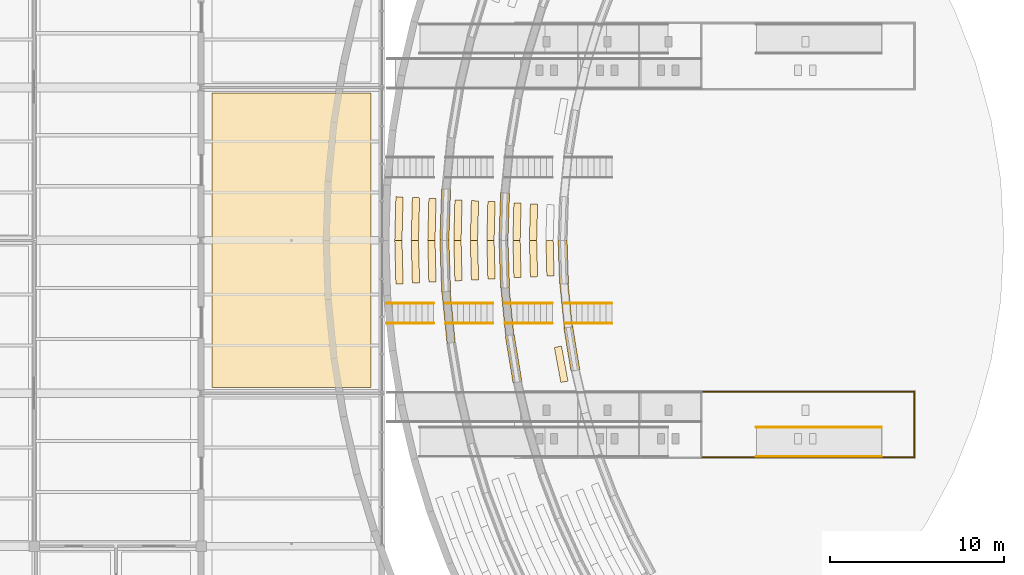
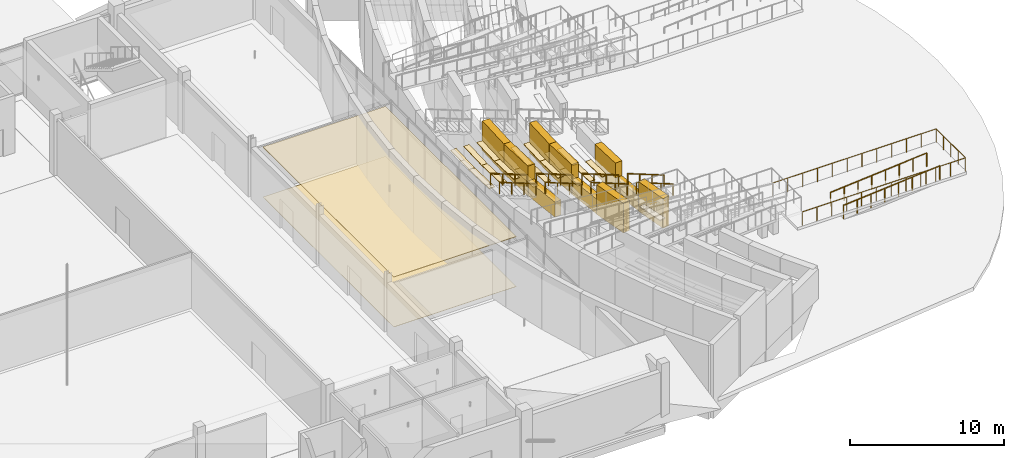
# One storey, part 112 of 116: 30 coverings, 11 railings, 2 elements without a shape of their own.
"""IFC4 building model written with IfcOpenShell, lengths in metres."""

from ifc_helpers import new_model, si_unit, direction, frame, origin, origin_2d, place, context, subcontext, project, spatial, polyline, circle, outline, extrude, material, layer, layer_set, type_object, element, aggregate, save


model = new_model("IFC4")

# Units and contexts
model_context = context("Model", 3, precision=1e-05, world=origin(), true_north=direction((0.0, 1.0)))
body_context = subcontext(model_context, "Body", "Model", "MODEL_VIEW")
ifc_project = project(units=[si_unit("LENGTHUNIT", "METRE"), si_unit("AREAUNIT", "SQUARE_METRE"), si_unit("VOLUMEUNIT", "CUBIC_METRE"), si_unit("PLANEANGLEUNIT", "RADIAN"), si_unit("MASSUNIT", "GRAM", prefix="KILO")], contexts=[model_context])

# Site, building, storey
site_placement = place(None, origin())
site = spatial("IfcSite", under=ifc_project, at=site_placement, CompositionType="ELEMENT")
building_placement = place(site_placement, origin())
building = spatial("IfcBuilding", under=site, at=building_placement, Name="Chalmorin Arch Market", CompositionType="ELEMENT")
storey_placement = place(building_placement, origin())
storey = spatial("IfcBuildingStorey", under=building, at=storey_placement, Name="L00", CompositionType="ELEMENT", Elevation=0.0)

# Covering
ifc_material_1 = material(Name="Mineral Fibre Acoustic Tile")
ifc_layer_1 = layer(ifc_material_1, 0.044921875)
ifc_layer_set_1 = layer_set([ifc_layer_1], Name="Mineral Fibre Acoustic Tile")
covering_type_1 = type_object("IfcCoveringType", Name="AcousticBaffleCeiling-45", PredefinedType="CEILING", material=ifc_layer_set_1)
covering_1_placement = place(storey_placement, frame((0.0, 0.0, 3.93505859375)))
element("IfcCovering", 1, at=covering_1_placement, inside=storey, type_object=covering_type_1, Name="CLG-01-087", PredefinedType="CEILING", context=body_context, shape_type="SweptSolid", body=[
    extrude(outline(polyline([(125.419921875, 23.919921875), (134.580078125, 23.919921875), (134.580078125, 40.8798828125), (125.419921875, 40.8798828125), (125.419921875, 23.919921875)])), origin(), (0.0, 0.0, 1.0), 0.044921875),
])

# Stair, railings
ifc_material_2 = material(Name="Concrete C40/50", Category="concrete")
stair_type = type_object("IfcStairType", Name="TerraceCascadeStair-Granite", PredefinedType="STRAIGHT_RUN_STAIR", material=ifc_material_2)
stair_placement = place(storey_placement, origin())
stair = element("IfcStair", 2, at=stair_placement, inside=storey, type_object=stair_type, Name="ST-30", PredefinedType="STRAIGHT_RUN_STAIR")
ifc_material_3 = material(Name="Stainless Steel 316", Category="steel")
ifc_layer_2 = layer(ifc_material_3, 0.048095703125)
ifc_layer_set_2 = layer_set([ifc_layer_2], Name="Stainless Steel 316")
railing_type_1 = type_object("IfcRailingType", Name="StairTubeHandrail-920", PredefinedType="HANDRAIL", material=ifc_layer_set_2)
railing_1_placement = place(storey_placement, frame((148.429931640625, 27.6201171875, 0.13330078125)))
railing_1 = element("IfcRailing", 3, at=railing_1_placement, type_object=railing_type_1, Name="HR-01-131", PredefinedType="HANDRAIL", context=body_context, shape_type="SweptSolid", body=[
    extrude(circle(Radius=0.02392578125, at=origin_2d()), frame((0.0, 0.0, 0.89599609375), z_axis=(-0.930973755386, 0.0, 0.365086108723), x_axis=(0.0, -1.0, 0.0)), (0.0, 0.0, 1.0), 2.921630859375),
    extrude(circle(Radius=0.02099609375, at=origin_2d()), origin(), (0.0, 0.0, 1.0), 0.871826171875),
    extrude(circle(Radius=0.02099609375, at=origin_2d()), frame((-0.90673828125, 0.0, 0.35546875)), (0.0, 0.0, 1.0), 0.871826171875),
    extrude(circle(Radius=0.02099609375, at=origin_2d()), frame((-1.813232421875, 0.0, 0.711181640625)), (0.0, 0.0, 1.0), 0.871826171875),
    extrude(circle(Radius=0.02099609375, at=origin_2d()), frame((-2.719970703125, 0.0, 1.066650390625)), (0.0, 0.0, 1.0), 0.871826171875),
])
railing_2_placement = place(storey_placement, frame((148.429931640625, 28.780029296875, 0.13330078125)))
railing_2 = element("IfcRailing", 4, at=railing_2_placement, type_object=railing_type_1, Name="HR-01-132", PredefinedType="HANDRAIL", context=body_context, shape_type="SweptSolid", body=[
    extrude(circle(Radius=0.02392578125, at=origin_2d()), frame((0.0, 0.0, 0.89599609375), z_axis=(-0.930973755386, 0.0, 0.365086108723), x_axis=(0.0, -1.0, 0.0)), (0.0, 0.0, 1.0), 2.921630859375),
    extrude(circle(Radius=0.02099609375, at=origin_2d()), origin(), (0.0, 0.0, 1.0), 0.871826171875),
    extrude(circle(Radius=0.02099609375, at=origin_2d()), frame((-0.90673828125, 0.0, 0.35546875)), (0.0, 0.0, 1.0), 0.871826171875),
    extrude(circle(Radius=0.02099609375, at=origin_2d()), frame((-1.813232421875, 0.0, 0.711181640625)), (0.0, 0.0, 1.0), 0.871826171875),
    extrude(circle(Radius=0.02099609375, at=origin_2d()), frame((-2.719970703125, 0.0, 1.066650390625)), (0.0, 0.0, 1.0), 0.871826171875),
])
railing_3_placement = place(storey_placement, frame((145.011962890625, 27.6201171875, 1.333251953125)))
railing_3 = element("IfcRailing", 5, at=railing_3_placement, type_object=railing_type_1, Name="HR-01-133", PredefinedType="HANDRAIL", context=body_context, shape_type="SweptSolid", body=[
    extrude(circle(Radius=0.02392578125, at=origin_2d()), frame((0.0, 0.0, 0.89599609375), z_axis=(-0.930973755386, 0.0, 0.365086108723), x_axis=(0.0, -1.0, 0.0)), (0.0, 0.0, 1.0), 2.921630859375),
    extrude(circle(Radius=0.02099609375, at=origin_2d()), origin(), (0.0, 0.0, 1.0), 0.871826171875),
    extrude(circle(Radius=0.02099609375, at=origin_2d()), frame((-0.90673828125, 0.0, 0.35546875)), (0.0, 0.0, 1.0), 0.871826171875),
    extrude(circle(Radius=0.02099609375, at=origin_2d()), frame((-1.813232421875, 0.0, 0.711181640625)), (0.0, 0.0, 1.0), 0.871826171875),
    extrude(circle(Radius=0.02099609375, at=origin_2d()), frame((-2.719970703125, 0.0, 1.066650390625)), (0.0, 0.0, 1.0), 0.871826171875),
])
railing_4_placement = place(storey_placement, frame((145.011962890625, 28.780029296875, 1.333251953125)))
railing_4 = element("IfcRailing", 6, at=railing_4_placement, type_object=railing_type_1, Name="HR-01-134", PredefinedType="HANDRAIL", context=body_context, shape_type="SweptSolid", body=[
    extrude(circle(Radius=0.02392578125, at=origin_2d()), frame((0.0, 0.0, 0.89599609375), z_axis=(-0.930973755386, 0.0, 0.365086108723), x_axis=(0.0, -1.0, 0.0)), (0.0, 0.0, 1.0), 2.921630859375),
    extrude(circle(Radius=0.02099609375, at=origin_2d()), origin(), (0.0, 0.0, 1.0), 0.871826171875),
    extrude(circle(Radius=0.02099609375, at=origin_2d()), frame((-0.90673828125, 0.0, 0.35546875)), (0.0, 0.0, 1.0), 0.871826171875),
    extrude(circle(Radius=0.02099609375, at=origin_2d()), frame((-1.813232421875, 0.0, 0.711181640625)), (0.0, 0.0, 1.0), 0.871826171875),
    extrude(circle(Radius=0.02099609375, at=origin_2d()), frame((-2.719970703125, 0.0, 1.066650390625)), (0.0, 0.0, 1.0), 0.871826171875),
])
railing_5_placement = place(storey_placement, frame((141.595947265625, 27.6201171875, 2.533203125)))
railing_5 = element("IfcRailing", 7, at=railing_5_placement, type_object=railing_type_1, Name="HR-01-135", PredefinedType="HANDRAIL", context=body_context, shape_type="SweptSolid", body=[
    extrude(circle(Radius=0.02392578125, at=origin_2d()), frame((0.0, 0.0, 0.89599609375), z_axis=(-0.930945351626, 0.0, 0.365158530348), x_axis=(0.0, -1.0, 0.0)), (0.0, 0.0, 1.0), 2.921630859375),
    extrude(circle(Radius=0.02099609375, at=origin_2d()), origin(), (0.0, 0.0, 1.0), 0.871826171875),
    extrude(circle(Radius=0.02099609375, at=origin_2d()), frame((-0.90673828125, 0.0, 0.355712890625)), (0.0, 0.0, 1.0), 0.871826171875),
    extrude(circle(Radius=0.02099609375, at=origin_2d()), frame((-1.813232421875, 0.0, 0.711181640625)), (0.0, 0.0, 1.0), 0.871826171875),
    extrude(circle(Radius=0.02099609375, at=origin_2d()), frame((-2.719970703125, 0.0, 1.06689453125)), (0.0, 0.0, 1.0), 0.871826171875),
])
railing_6_placement = place(storey_placement, frame((141.595947265625, 28.780029296875, 2.533203125)))
railing_6 = element("IfcRailing", 8, at=railing_6_placement, type_object=railing_type_1, Name="HR-01-136", PredefinedType="HANDRAIL", context=body_context, shape_type="SweptSolid", body=[
    extrude(circle(Radius=0.02392578125, at=origin_2d()), frame((0.0, 0.0, 0.89599609375), z_axis=(-0.930945351626, 0.0, 0.365158530348), x_axis=(0.0, -1.0, 0.0)), (0.0, 0.0, 1.0), 2.921630859375),
    extrude(circle(Radius=0.02099609375, at=origin_2d()), origin(), (0.0, 0.0, 1.0), 0.871826171875),
    extrude(circle(Radius=0.02099609375, at=origin_2d()), frame((-0.90673828125, 0.0, 0.355712890625)), (0.0, 0.0, 1.0), 0.871826171875),
    extrude(circle(Radius=0.02099609375, at=origin_2d()), frame((-1.813232421875, 0.0, 0.711181640625)), (0.0, 0.0, 1.0), 0.871826171875),
    extrude(circle(Radius=0.02099609375, at=origin_2d()), frame((-2.719970703125, 0.0, 1.06689453125)), (0.0, 0.0, 1.0), 0.871826171875),
])
railing_7_placement = place(storey_placement, frame((138.181884765625, 27.6201171875, 3.7333984375)))
railing_7 = element("IfcRailing", 9, at=railing_7_placement, type_object=railing_type_1, Name="HR-01-137", PredefinedType="HANDRAIL", context=body_context, shape_type="SweptSolid", body=[
    extrude(circle(Radius=0.02392578125, at=origin_2d()), frame((0.0, 0.0, 0.89599609375), z_axis=(-0.930973755386, 0.0, 0.365086108723), x_axis=(0.0, -1.0, 0.0)), (0.0, 0.0, 1.0), 2.921630859375),
    extrude(circle(Radius=0.02099609375, at=origin_2d()), origin(), (0.0, 0.0, 1.0), 0.871826171875),
    extrude(circle(Radius=0.02099609375, at=origin_2d()), frame((-0.90673828125, 0.0, 0.35546875)), (0.0, 0.0, 1.0), 0.871826171875),
    extrude(circle(Radius=0.02099609375, at=origin_2d()), frame((-1.813232421875, 0.0, 0.711181640625)), (0.0, 0.0, 1.0), 0.871826171875),
    extrude(circle(Radius=0.02099609375, at=origin_2d()), frame((-2.719970703125, 0.0, 1.066650390625)), (0.0, 0.0, 1.0), 0.871826171875),
])
railing_8_placement = place(storey_placement, frame((138.181884765625, 28.780029296875, 3.7333984375)))
railing_8 = element("IfcRailing", 10, at=railing_8_placement, type_object=railing_type_1, Name="HR-01-138", PredefinedType="HANDRAIL", context=body_context, shape_type="SweptSolid", body=[
    extrude(circle(Radius=0.02392578125, at=origin_2d()), frame((0.0, 0.0, 0.89599609375), z_axis=(-0.930973755386, 0.0, 0.365086108723), x_axis=(0.0, -1.0, 0.0)), (0.0, 0.0, 1.0), 2.921630859375),
    extrude(circle(Radius=0.02099609375, at=origin_2d()), origin(), (0.0, 0.0, 1.0), 0.871826171875),
    extrude(circle(Radius=0.02099609375, at=origin_2d()), frame((-0.90673828125, 0.0, 0.35546875)), (0.0, 0.0, 1.0), 0.871826171875),
    extrude(circle(Radius=0.02099609375, at=origin_2d()), frame((-1.813232421875, 0.0, 0.711181640625)), (0.0, 0.0, 1.0), 0.871826171875),
    extrude(circle(Radius=0.02099609375, at=origin_2d()), frame((-2.719970703125, 0.0, 1.066650390625)), (0.0, 0.0, 1.0), 0.871826171875),
])
aggregate(stair, [railing_1, railing_2, railing_3, railing_4, railing_5, railing_6, railing_7, railing_8])

# Ramp, railings
ramp_type = type_object("IfcRampType", Name="AmphitheatreAccessibleRamp-1800", PredefinedType="HALF_TURN_RAMP", material=ifc_material_2)
ramp_placement = place(storey_placement, origin())
ramp = element("IfcRamp", 11, at=ramp_placement, inside=storey, type_object=ramp_type, material=ifc_material_2, Name="RMP-01", PredefinedType="HALF_TURN_RAMP")
ifc_material_4 = material(Name="Galvanised Steel", Category="steel")
ifc_layer_3 = layer(ifc_material_4, 0.054931640625)
ifc_layer_set_3 = layer_set([ifc_layer_3], Name="Galvanised Steel")
railing_type_2 = type_object("IfcRailingType", Name="StairWellGuardrail-1100", PredefinedType="GUARDRAIL", material=ifc_layer_set_3)
railing_9_placement = place(storey_placement, frame((153.62890625, 19.909912109375, 0.60009765625)))
railing_9 = element("IfcRailing", 12, at=railing_9_placement, type_object=railing_type_2, Name="SG-01-147", PredefinedType="GUARDRAIL", context=body_context, shape_type="SweptSolid", body=[
    extrude(circle(Radius=0.02392578125, at=origin_2d()), frame((0.0, 0.0, 1.076171875), z_axis=(1.0, 0.0, 0.0), x_axis=(0.0, 1.0, 0.0)), (0.0, 0.0, 1.0), 12.211181640625),
    extrude(circle(Radius=0.02392578125, at=origin_2d()), frame((12.211181640625, 0.0, 1.076171875), z_axis=(0.0, 1.0, 0.0), x_axis=(-1.0, 0.0, 0.0)), (0.0, 0.0, 1.0), 3.780029296875),
    extrude(circle(Radius=0.02392578125, at=origin_2d()), frame((12.211181640625, 3.780029296875, 1.076171875), z_axis=(-1.0, 0.0, 0.0), x_axis=(0.0, -1.0, 0.0)), (0.0, 0.0, 1.0), 12.211181640625),
    extrude(circle(Radius=0.02099609375, at=origin_2d()), origin(), (0.0, 0.0, 1.0), 1.052001953125),
    extrude(circle(Radius=0.02099609375, at=origin_2d()), frame((1.110107421875, 0.0, 0.0)), (0.0, 0.0, 1.0), 1.052001953125),
    extrude(circle(Radius=0.02099609375, at=origin_2d()), frame((2.22021484375, 0.0, 0.0)), (0.0, 0.0, 1.0), 1.052001953125),
    extrude(circle(Radius=0.02099609375, at=origin_2d()), frame((3.330322265625, 0.0, 0.0)), (0.0, 0.0, 1.0), 1.052001953125),
    extrude(circle(Radius=0.02099609375, at=origin_2d()), frame((4.4404296875, 0.0, 0.0)), (0.0, 0.0, 1.0), 1.052001953125),
    extrude(circle(Radius=0.02099609375, at=origin_2d()), frame((5.550537109375, 0.0, 0.0)), (0.0, 0.0, 1.0), 1.052001953125),
    extrude(circle(Radius=0.02099609375, at=origin_2d()), frame((6.66064453125, 0.0, 0.0)), (0.0, 0.0, 1.0), 1.052001953125),
    extrude(circle(Radius=0.02099609375, at=origin_2d()), frame((7.770751953125, 0.0, 0.0)), (0.0, 0.0, 1.0), 1.052001953125),
    extrude(circle(Radius=0.02099609375, at=origin_2d()), frame((8.880859375, 0.0, 0.0)), (0.0, 0.0, 1.0), 1.052001953125),
    extrude(circle(Radius=0.02099609375, at=origin_2d()), frame((9.990966796875, 0.0, 0.0)), (0.0, 0.0, 1.0), 1.052001953125),
    extrude(circle(Radius=0.02099609375, at=origin_2d()), frame((11.10107421875, 0.0, 0.0)), (0.0, 0.0, 1.0), 1.052001953125),
    extrude(circle(Radius=0.02099609375, at=origin_2d()), frame((12.211181640625, 0.0, 0.0)), (0.0, 0.0, 1.0), 1.052001953125),
    extrude(circle(Radius=0.02099609375, at=origin_2d()), frame((12.211181640625, 0.945068359375, 0.0)), (0.0, 0.0, 1.0), 1.052001953125),
    extrude(circle(Radius=0.02099609375, at=origin_2d()), frame((12.211181640625, 1.89013671875, 0.0)), (0.0, 0.0, 1.0), 1.052001953125),
    extrude(circle(Radius=0.02099609375, at=origin_2d()), frame((12.211181640625, 2.8349609375, 0.0)), (0.0, 0.0, 1.0), 1.052001953125),
    extrude(circle(Radius=0.02099609375, at=origin_2d()), frame((12.211181640625, 3.780029296875, 0.0)), (0.0, 0.0, 1.0), 1.052001953125),
    extrude(circle(Radius=0.02099609375, at=origin_2d()), frame((11.10107421875, 3.780029296875, 0.0)), (0.0, 0.0, 1.0), 1.052001953125),
    extrude(circle(Radius=0.02099609375, at=origin_2d()), frame((9.990966796875, 3.780029296875, 0.0)), (0.0, 0.0, 1.0), 1.052001953125),
    extrude(circle(Radius=0.02099609375, at=origin_2d()), frame((8.880859375, 3.780029296875, 0.0)), (0.0, 0.0, 1.0), 1.052001953125),
    extrude(circle(Radius=0.02099609375, at=origin_2d()), frame((7.770751953125, 3.780029296875, 0.0)), (0.0, 0.0, 1.0), 1.052001953125),
    extrude(circle(Radius=0.02099609375, at=origin_2d()), frame((6.66064453125, 3.780029296875, 0.0)), (0.0, 0.0, 1.0), 1.052001953125),
    extrude(circle(Radius=0.02099609375, at=origin_2d()), frame((5.550537109375, 3.780029296875, 0.0)), (0.0, 0.0, 1.0), 1.052001953125),
    extrude(circle(Radius=0.02099609375, at=origin_2d()), frame((4.4404296875, 3.780029296875, 0.0)), (0.0, 0.0, 1.0), 1.052001953125),
    extrude(circle(Radius=0.02099609375, at=origin_2d()), frame((3.330322265625, 3.780029296875, 0.0)), (0.0, 0.0, 1.0), 1.052001953125),
    extrude(circle(Radius=0.02099609375, at=origin_2d()), frame((2.22021484375, 3.780029296875, 0.0)), (0.0, 0.0, 1.0), 1.052001953125),
    extrude(circle(Radius=0.02099609375, at=origin_2d()), frame((1.110107421875, 3.780029296875, 0.0)), (0.0, 0.0, 1.0), 1.052001953125),
    extrude(circle(Radius=0.02099609375, at=origin_2d()), frame((0.0, 3.780029296875, 0.0)), (0.0, 0.0, 1.0), 1.052001953125),
])
railing_10_placement = place(storey_placement, frame((156.75, 19.9599609375, 0.0)))
railing_10 = element("IfcRailing", 13, at=railing_10_placement, type_object=railing_type_2, Name="SG-01-148", PredefinedType="GUARDRAIL", context=body_context, shape_type="SweptSolid", body=[
    extrude(circle(Radius=0.02392578125, at=origin_2d()), frame((0.0, 0.0, 1.076171875), z_axis=(0.996544592923, 0.0, 0.083059462528), x_axis=(0.0, 1.0, 0.0)), (0.0, 0.0, 1.0), 7.224853515625),
    extrude(circle(Radius=0.02099609375, at=origin_2d()), origin(), (0.0, 0.0, 1.0), 1.052001953125),
    extrude(circle(Radius=0.02099609375, at=origin_2d()), frame((1.028564453125, 0.0, 0.085693359375)), (0.0, 0.0, 1.0), 1.052001953125),
    extrude(circle(Radius=0.02099609375, at=origin_2d()), frame((2.05712890625, 0.0, 0.17138671875)), (0.0, 0.0, 1.0), 1.052001953125),
    extrude(circle(Radius=0.02099609375, at=origin_2d()), frame((3.085693359375, 0.0, 0.257080078125)), (0.0, 0.0, 1.0), 1.052001953125),
    extrude(circle(Radius=0.02099609375, at=origin_2d()), frame((4.1142578125, 0.0, 0.343017578125)), (0.0, 0.0, 1.0), 1.052001953125),
    extrude(circle(Radius=0.02099609375, at=origin_2d()), frame((5.142822265625, 0.0, 0.4287109375)), (0.0, 0.0, 1.0), 1.052001953125),
    extrude(circle(Radius=0.02099609375, at=origin_2d()), frame((6.17138671875, 0.0, 0.514404296875)), (0.0, 0.0, 1.0), 1.052001953125),
    extrude(circle(Radius=0.02099609375, at=origin_2d()), frame((7.199951171875, 0.0, 0.60009765625)), (0.0, 0.0, 1.0), 1.052001953125),
])
railing_11_placement = place(storey_placement, frame((156.75, 21.639892578125, 0.0)))
railing_11 = element("IfcRailing", 14, at=railing_11_placement, type_object=railing_type_2, Name="SG-01-150", PredefinedType="GUARDRAIL", context=body_context, shape_type="SweptSolid", body=[
    extrude(circle(Radius=0.02392578125, at=origin_2d()), frame((0.0, 0.0, 1.076171875), z_axis=(0.996544592923, 0.0, 0.083059462528), x_axis=(0.0, 1.0, 0.0)), (0.0, 0.0, 1.0), 7.224853515625),
    extrude(circle(Radius=0.02099609375, at=origin_2d()), origin(), (0.0, 0.0, 1.0), 1.052001953125),
    extrude(circle(Radius=0.02099609375, at=origin_2d()), frame((1.028564453125, 0.0, 0.085693359375)), (0.0, 0.0, 1.0), 1.052001953125),
    extrude(circle(Radius=0.02099609375, at=origin_2d()), frame((2.05712890625, 0.0, 0.17138671875)), (0.0, 0.0, 1.0), 1.052001953125),
    extrude(circle(Radius=0.02099609375, at=origin_2d()), frame((3.085693359375, 0.0, 0.257080078125)), (0.0, 0.0, 1.0), 1.052001953125),
    extrude(circle(Radius=0.02099609375, at=origin_2d()), frame((4.1142578125, 0.0, 0.343017578125)), (0.0, 0.0, 1.0), 1.052001953125),
    extrude(circle(Radius=0.02099609375, at=origin_2d()), frame((5.142822265625, 0.0, 0.4287109375)), (0.0, 0.0, 1.0), 1.052001953125),
    extrude(circle(Radius=0.02099609375, at=origin_2d()), frame((6.17138671875, 0.0, 0.514404296875)), (0.0, 0.0, 1.0), 1.052001953125),
    extrude(circle(Radius=0.02099609375, at=origin_2d()), frame((7.199951171875, 0.0, 0.60009765625)), (0.0, 0.0, 1.0), 1.052001953125),
])
aggregate(ramp, [railing_9, railing_10, railing_11])

# Coverings
ifc_material_5 = material(Name="Polished Terrazzo")
ifc_layer_4 = layer(ifc_material_5, 0.02490234375)
ifc_layer_set_4 = layer_set([ifc_layer_4], Name="Polished Terrazzo")
covering_type_2 = type_object("IfcCoveringType", Name="TerrazzoMarketFloorFinish-25", PredefinedType="FLOORING", material=ifc_layer_set_4)
covering_2_placement = place(storey_placement, origin())
element("IfcCovering", 15, at=covering_2_placement, inside=storey, type_object=covering_type_2, Name="FLR-01-086", PredefinedType="FLOORING", context=body_context, shape_type="SweptSolid", body=[
    extrude(outline(polyline([(125.419921875, 23.919921875), (134.580078125, 23.919921875), (134.580078125, 40.8798828125), (125.419921875, 40.8798828125), (125.419921875, 23.919921875)])), origin(), (0.0, 0.0, 1.0), 0.02490234375),
])
ifc_material_6 = material(Name="Planted Green Roof Turf")
ifc_layer_5 = layer(ifc_material_6, 0.044921875)
ifc_layer_set_5 = layer_set([ifc_layer_5], Name="Planted Green Roof Turf")
covering_type_3 = type_object("IfcCoveringType", Name="VegetatedMoundTurfStrip-45", PredefinedType="ROOFING", material=ifc_layer_set_5)
covering_3_placement = place(storey_placement, frame((0.0, 0.0, 1.199951171875)))
element("IfcCovering", 16, at=covering_3_placement, inside=storey, type_object=covering_type_3, Name="VMT-45-039", PredefinedType="ROOFING", context=body_context, shape_type="SweptSolid", body=[
    extrude(outline(polyline([(144.64013671875, 32.39453125), (144.694091796875, 30.345458984375), (145.114013671875, 30.3564453125), (145.059814453125, 32.405517578125), (144.64013671875, 32.39453125)])), origin(), (0.0, 0.0, 1.0), 0.045166015625),
])
covering_4_placement = place(storey_placement, frame((0.0, 0.0, 1.199951171875)))
element("IfcCovering", 17, at=covering_4_placement, inside=storey, type_object=covering_type_3, Name="VMT-45-040", PredefinedType="ROOFING", context=body_context, shape_type="SweptSolid", body=[
    extrude(outline(polyline([(145.12548828125, 26.23779296875), (145.49951171875, 24.2216796875), (145.91259765625, 24.29833984375), (145.53857421875, 26.314208984375), (145.12548828125, 26.23779296875)])), origin(), (0.0, 0.0, 1.0), 0.045166015625),
])
covering_5_placement = place(storey_placement, frame((0.0, 0.0, 1.199951171875)))
element("IfcCovering", 18, at=covering_5_placement, inside=storey, type_object=covering_type_3, Name="VMT-45-047", PredefinedType="ROOFING", context=body_context, shape_type="SweptSolid", body=[
    extrude(outline(polyline([(143.7451171875, 34.50439453125), (143.690185546875, 32.405517578125), (144.10986328125, 32.39453125), (144.164794921875, 34.493408203125), (143.7451171875, 34.50439453125)])), origin(), (0.0, 0.0, 1.0), 0.045166015625),
])
covering_6_placement = place(storey_placement, frame((0.0, 0.0, 1.199951171875)))
element("IfcCovering", 19, at=covering_6_placement, inside=storey, type_object=covering_type_3, Name="VMT-45-048", PredefinedType="ROOFING", context=body_context, shape_type="SweptSolid", body=[
    extrude(outline(polyline([(143.690185546875, 32.39453125), (143.7451171875, 30.29541015625), (144.164794921875, 30.306396484375), (144.10986328125, 32.405517578125), (143.690185546875, 32.39453125)])), origin(), (0.0, 0.0, 1.0), 0.045166015625),
])
covering_7_placement = place(storey_placement, frame((0.0, 0.0, 1.199951171875)))
element("IfcCovering", 20, at=covering_7_placement, inside=storey, type_object=covering_type_3, Name="VMT-45-055", PredefinedType="ROOFING", context=body_context, shape_type="SweptSolid", body=[
    extrude(outline(polyline([(142.796142578125, 34.553466796875), (142.739990234375, 32.405517578125), (143.159912109375, 32.39453125), (143.2158203125, 34.54248046875), (142.796142578125, 34.553466796875)])), origin(), (0.0, 0.0, 1.0), 0.045166015625),
])
covering_8_placement = place(storey_placement, frame((0.0, 0.0, 1.199951171875)))
element("IfcCovering", 21, at=covering_8_placement, inside=storey, type_object=covering_type_3, Name="VMT-45-056", PredefinedType="ROOFING", context=body_context, shape_type="SweptSolid", body=[
    extrude(outline(polyline([(142.739990234375, 32.39453125), (142.796142578125, 30.24658203125), (143.2158203125, 30.257568359375), (143.159912109375, 32.405517578125), (142.739990234375, 32.39453125)])), origin(), (0.0, 0.0, 1.0), 0.045166015625),
])
covering_9_placement = place(storey_placement, frame((0.0, 0.0, 2.39990234375)))
element("IfcCovering", 22, at=covering_9_placement, inside=storey, type_object=covering_type_3, Name="VMT-45-063", PredefinedType="ROOFING", context=body_context, shape_type="SweptSolid", body=[
    extrude(outline(polyline([(141.298095703125, 34.632568359375), (141.239990234375, 32.405517578125), (141.659912109375, 32.39453125), (141.718017578125, 34.62158203125), (141.298095703125, 34.632568359375)])), origin(), (0.0, 0.0, 1.0), 0.045166015625),
])
covering_10_placement = place(storey_placement, frame((0.0, 0.0, 2.39990234375)))
element("IfcCovering", 23, at=covering_10_placement, inside=storey, type_object=covering_type_3, Name="VMT-45-064", PredefinedType="ROOFING", context=body_context, shape_type="SweptSolid", body=[
    extrude(outline(polyline([(141.239990234375, 32.39453125), (141.298095703125, 30.16748046875), (141.718017578125, 30.178466796875), (141.659912109375, 32.405517578125), (141.239990234375, 32.39453125)])), origin(), (0.0, 0.0, 1.0), 0.045166015625),
])
covering_11_placement = place(storey_placement, frame((0.0, 0.0, 2.39990234375)))
element("IfcCovering", 24, at=covering_11_placement, inside=storey, type_object=covering_type_3, Name="VMT-45-072", PredefinedType="ROOFING", context=body_context, shape_type="SweptSolid", body=[
    extrude(outline(polyline([(140.35009765625, 34.6826171875), (140.2900390625, 32.405517578125), (140.7099609375, 32.39453125), (140.77001953125, 34.67138671875), (140.35009765625, 34.6826171875)])), origin(), (0.0, 0.0, 1.0), 0.045166015625),
])
covering_12_placement = place(storey_placement, frame((0.0, 0.0, 2.39990234375)))
element("IfcCovering", 25, at=covering_12_placement, inside=storey, type_object=covering_type_3, Name="VMT-45-073", PredefinedType="ROOFING", context=body_context, shape_type="SweptSolid", body=[
    extrude(outline(polyline([(140.2900390625, 32.39453125), (140.35009765625, 30.117431640625), (140.77001953125, 30.12841796875), (140.7099609375, 32.405517578125), (140.2900390625, 32.39453125)])), origin(), (0.0, 0.0, 1.0), 0.045166015625),
])
covering_13_placement = place(storey_placement, frame((0.0, 0.0, 2.39990234375)))
element("IfcCovering", 26, at=covering_13_placement, inside=storey, type_object=covering_type_3, Name="VMT-45-082", PredefinedType="ROOFING", context=body_context, shape_type="SweptSolid", body=[
    extrude(outline(polyline([(139.401123046875, 34.7314453125), (139.340087890625, 32.405517578125), (139.760009765625, 32.39453125), (139.82080078125, 34.720458984375), (139.401123046875, 34.7314453125)])), origin(), (0.0, 0.0, 1.0), 0.045166015625),
])
covering_14_placement = place(storey_placement, frame((0.0, 0.0, 2.39990234375)))
element("IfcCovering", 27, at=covering_14_placement, inside=storey, type_object=covering_type_3, Name="VMT-45-083", PredefinedType="ROOFING", context=body_context, shape_type="SweptSolid", body=[
    extrude(outline(polyline([(139.340087890625, 32.39453125), (139.401123046875, 30.068603515625), (139.82080078125, 30.07958984375), (139.760009765625, 32.405517578125), (139.340087890625, 32.39453125)])), origin(), (0.0, 0.0, 1.0), 0.045166015625),
])
covering_15_placement = place(storey_placement, frame((0.0, 0.0, 3.60009765625)))
element("IfcCovering", 28, at=covering_15_placement, inside=storey, type_object=covering_type_3, Name="VMT-45-092", PredefinedType="ROOFING", context=body_context, shape_type="SweptSolid", body=[
    extrude(outline(polyline([(137.903076171875, 34.810546875), (137.840087890625, 32.405517578125), (138.260009765625, 32.39453125), (138.322998046875, 34.799560546875), (137.903076171875, 34.810546875)])), origin(), (0.0, 0.0, 1.0), 0.044921875),
])
covering_16_placement = place(storey_placement, frame((0.0, 0.0, 3.60009765625)))
element("IfcCovering", 29, at=covering_16_placement, inside=storey, type_object=covering_type_3, Name="VMT-45-093", PredefinedType="ROOFING", context=body_context, shape_type="SweptSolid", body=[
    extrude(outline(polyline([(137.840087890625, 32.39453125), (137.903076171875, 29.989501953125), (138.322998046875, 30.00048828125), (138.260009765625, 32.405517578125), (137.840087890625, 32.39453125)])), origin(), (0.0, 0.0, 1.0), 0.044921875),
])
covering_17_placement = place(storey_placement, frame((0.0, 0.0, 3.60009765625)))
element("IfcCovering", 30, at=covering_17_placement, inside=storey, type_object=covering_type_3, Name="VMT-45-102", PredefinedType="ROOFING", context=body_context, shape_type="SweptSolid", body=[
    extrude(outline(polyline([(136.9541015625, 34.860595703125), (136.89013671875, 32.405517578125), (137.309814453125, 32.39453125), (137.373779296875, 34.849609375), (136.9541015625, 34.860595703125)])), origin(), (0.0, 0.0, 1.0), 0.044921875),
])
covering_18_placement = place(storey_placement, frame((0.0, 0.0, 3.60009765625)))
element("IfcCovering", 31, at=covering_18_placement, inside=storey, type_object=covering_type_3, Name="VMT-45-103", PredefinedType="ROOFING", context=body_context, shape_type="SweptSolid", body=[
    extrude(outline(polyline([(136.89013671875, 32.39453125), (136.9541015625, 29.939453125), (137.373779296875, 29.950439453125), (137.309814453125, 32.405517578125), (136.89013671875, 32.39453125)])), origin(), (0.0, 0.0, 1.0), 0.044921875),
])
covering_19_placement = place(storey_placement, frame((0.0, 0.0, 3.60009765625)))
element("IfcCovering", 32, at=covering_19_placement, inside=storey, type_object=covering_type_3, Name="VMT-45-112", PredefinedType="ROOFING", context=body_context, shape_type="SweptSolid", body=[
    extrude(outline(polyline([(136.006103515625, 34.909423828125), (135.940185546875, 32.405517578125), (136.35986328125, 32.39453125), (136.42578125, 34.8984375), (136.006103515625, 34.909423828125)])), origin(), (0.0, 0.0, 1.0), 0.044921875),
])
covering_20_placement = place(storey_placement, frame((0.0, 0.0, 3.60009765625)))
element("IfcCovering", 33, at=covering_20_placement, inside=storey, type_object=covering_type_3, Name="VMT-45-113", PredefinedType="ROOFING", context=body_context, shape_type="SweptSolid", body=[
    extrude(outline(polyline([(135.940185546875, 32.39453125), (136.006103515625, 29.890380859375), (136.42578125, 29.901611328125), (136.35986328125, 32.405517578125), (135.940185546875, 32.39453125)])), origin(), (0.0, 0.0, 1.0), 0.044921875),
])
ifc_material_7 = material(Name="Precast concrete C40/50", Category="concrete")
ifc_layer_6 = layer(ifc_material_7, 0.054931640625)
ifc_layer_set_6 = layer_set([ifc_layer_6], Name="Precast concrete C40/50")
covering_type_4 = type_object("IfcCoveringType", Name="WhiteArchitecturalPrecastCladding-55", PredefinedType="CLADDING", material=ifc_layer_set_6)
covering_21_placement = place(storey_placement, frame((0.0, 0.0, 0.010009765625)))
element("IfcCovering", 34, at=covering_21_placement, inside=storey, type_object=covering_type_4, Name="WPC-55-009", PredefinedType="CLADDING", context=body_context, shape_type="SweptSolid", body=[
    extrude(outline(polyline([(145.340087890625, 32.3916015625), (145.422119140625, 29.880615234375), (145.94189453125, 29.8974609375), (145.85986328125, 32.408447265625), (145.340087890625, 32.3916015625)])), origin(), (0.0, 0.0, 1.0), 2.35009765625),
])
covering_22_placement = place(storey_placement, frame((0.0, 0.0, 0.010009765625)))
element("IfcCovering", 35, at=covering_22_placement, inside=storey, type_object=covering_type_4, Name="WPC-55-010", PredefinedType="CLADDING", context=body_context, shape_type="SweptSolid", body=[
    extrude(outline(polyline([(145.443115234375, 29.865478515625), (145.690185546875, 27.364501953125), (146.167724609375, 27.41162109375), (145.9208984375, 29.91259765625), (145.443115234375, 29.865478515625)])), origin(), (0.0, 0.0, 1.0), 1.179931640625),
])
covering_23_placement = place(storey_placement, frame((0.0, 0.0, 0.010009765625)))
element("IfcCovering", 36, at=covering_23_placement, inside=storey, type_object=covering_type_4, Name="WPC-55-011", PredefinedType="CLADDING", context=body_context, shape_type="SweptSolid", body=[
    extrude(outline(polyline([(145.672607421875, 27.345703125), (146.08154296875, 24.86669921875), (146.594482421875, 24.951416015625), (146.185546875, 27.430419921875), (145.672607421875, 27.345703125)])), origin(), (0.0, 0.0, 1.0), 2.35009765625),
])
covering_24_placement = place(storey_placement, frame((0.0, 0.0, 1.2099609375)))
element("IfcCovering", 37, at=covering_24_placement, inside=storey, type_object=covering_type_4, Name="WPC-55-024", PredefinedType="CLADDING", context=body_context, shape_type="SweptSolid", body=[
    extrude(outline(polyline([(142.029052734375, 35.142578125), (141.940185546875, 32.408447265625), (142.4599609375, 32.3916015625), (142.548828125, 35.12548828125), (142.029052734375, 35.142578125)])), origin(), (0.0, 0.0, 1.0), 2.35009765625),
])
covering_25_placement = place(storey_placement, frame((0.0, 0.0, 1.2099609375)))
element("IfcCovering", 38, at=covering_25_placement, inside=storey, type_object=covering_type_4, Name="WPC-55-025", PredefinedType="CLADDING", context=body_context, shape_type="SweptSolid", body=[
    extrude(outline(polyline([(141.940185546875, 32.3916015625), (142.029052734375, 29.657470703125), (142.548828125, 29.674560546875), (142.4599609375, 32.408447265625), (141.940185546875, 32.3916015625)])), origin(), (0.0, 0.0, 1.0), 2.35009765625),
])
covering_26_placement = place(storey_placement, frame((0.0, 0.0, 1.2099609375)))
element("IfcCovering", 39, at=covering_26_placement, inside=storey, type_object=covering_type_4, Name="WPC-55-026", PredefinedType="CLADDING", context=body_context, shape_type="SweptSolid", body=[
    extrude(outline(polyline([(142.05029296875, 29.642333984375), (142.319091796875, 26.92041015625), (142.796875, 26.967529296875), (142.52783203125, 29.689697265625), (142.05029296875, 29.642333984375)])), origin(), (0.0, 0.0, 1.0), 1.179931640625),
])
covering_27_placement = place(storey_placement, frame((0.0, 0.0, 1.2099609375)))
element("IfcCovering", 40, at=covering_27_placement, inside=storey, type_object=covering_type_4, Name="WPC-55-027", PredefinedType="CLADDING", context=body_context, shape_type="SweptSolid", body=[
    extrude(outline(polyline([(142.301513671875, 26.901611328125), (142.74658203125, 24.20263671875), (143.259521484375, 24.287353515625), (142.814453125, 26.986328125), (142.301513671875, 26.901611328125)])), origin(), (0.0, 0.0, 1.0), 2.35009765625),
])
covering_28_placement = place(storey_placement, frame((0.0, 0.0, 2.409912109375)))
element("IfcCovering", 41, at=covering_28_placement, inside=storey, type_object=covering_type_4, Name="WPC-55-040", PredefinedType="CLADDING", context=body_context, shape_type="SweptSolid", body=[
    extrude(outline(polyline([(138.63720703125, 35.364501953125), (138.5400390625, 32.408447265625), (139.059814453125, 32.3916015625), (139.156982421875, 35.347412109375), (138.63720703125, 35.364501953125)])), origin(), (0.0, 0.0, 1.0), 2.35009765625),
])
covering_29_placement = place(storey_placement, frame((0.0, 0.0, 2.409912109375)))
element("IfcCovering", 42, at=covering_29_placement, inside=storey, type_object=covering_type_4, Name="WPC-55-041", PredefinedType="CLADDING", context=body_context, shape_type="SweptSolid", body=[
    extrude(outline(polyline([(138.5400390625, 32.3916015625), (138.63720703125, 29.435546875), (139.156982421875, 29.452392578125), (139.059814453125, 32.408447265625), (138.5400390625, 32.3916015625)])), origin(), (0.0, 0.0, 1.0), 2.35009765625),
])
covering_30_placement = place(storey_placement, frame((0.0, 0.0, 2.409912109375)))
element("IfcCovering", 43, at=covering_30_placement, inside=storey, type_object=covering_type_4, Name="WPC-55-042", PredefinedType="CLADDING", context=body_context, shape_type="SweptSolid", body=[
    extrude(outline(polyline([(138.658203125, 29.42041015625), (138.9482421875, 26.4765625), (139.42578125, 26.5234375), (139.1357421875, 29.467529296875), (138.658203125, 29.42041015625)])), origin(), (0.0, 0.0, 1.0), 1.18017578125),
])

save(model, "model.ifc")
